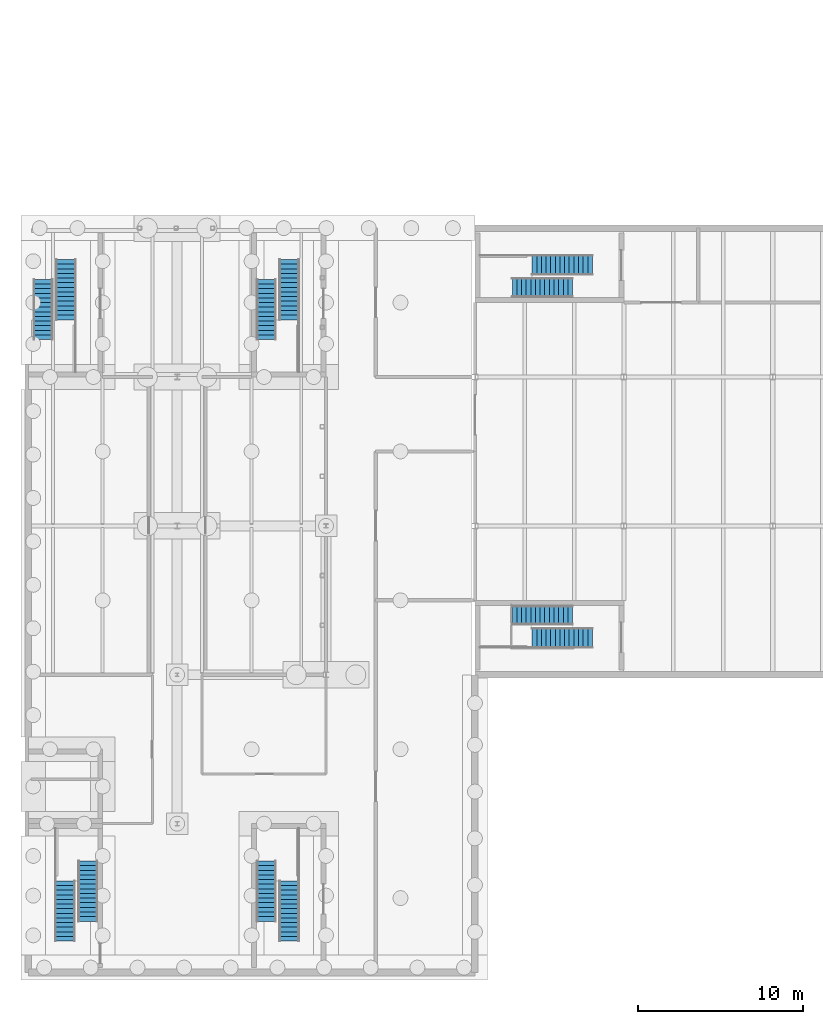
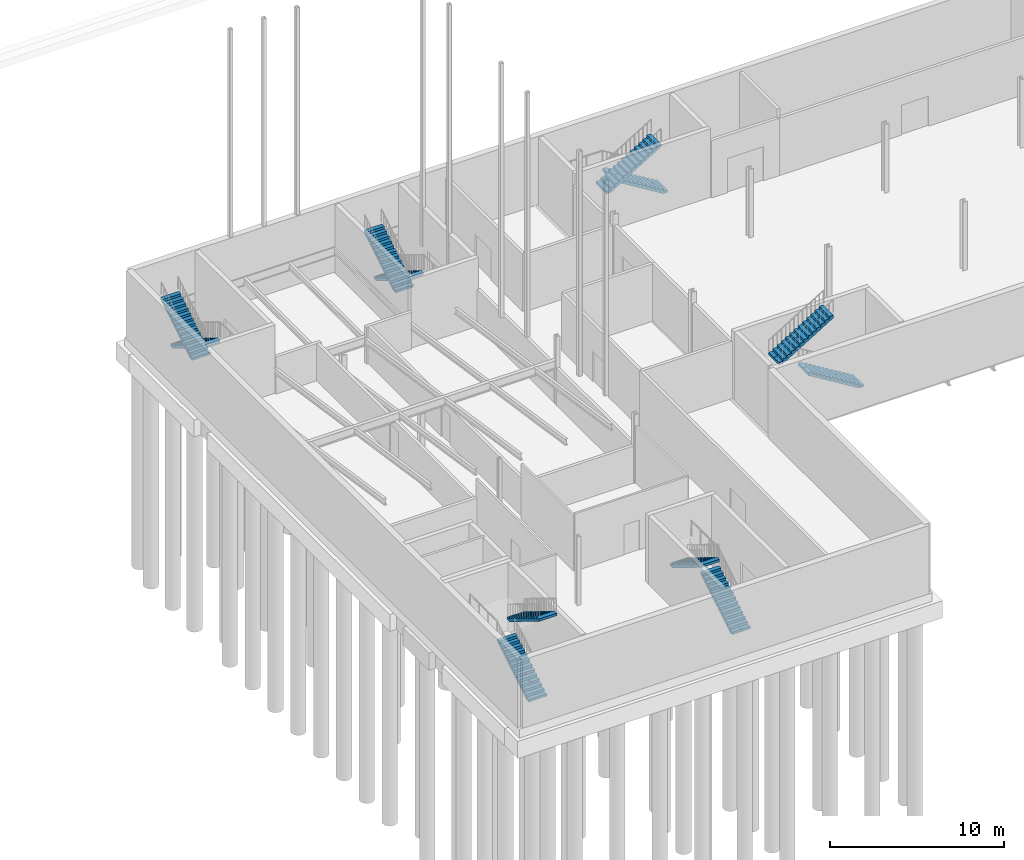
# One storey, part 20 of 31: 12 stair flights, 6 elements without a shape of their own.
"""IFC4 building model written with IfcOpenShell, lengths in metres."""

from ifc_helpers import new_model, si_unit, direction, frame, origin, place, context, subcontext, project, spatial, polyline, outline, extrude, material, type_object, element, aggregate, save


model = new_model("IFC4")

# Units and contexts
model_context = context("Model", 3, precision=1e-05, world=origin(), true_north=direction((0.0, 1.0)))
body_context = subcontext(model_context, "Body", "Model", "MODEL_VIEW")
ifc_project = project(units=[si_unit("LENGTHUNIT", "METRE"), si_unit("AREAUNIT", "SQUARE_METRE"), si_unit("VOLUMEUNIT", "CUBIC_METRE"), si_unit("PLANEANGLEUNIT", "RADIAN"), si_unit("MASSUNIT", "GRAM", prefix="KILO")], contexts=[model_context])

# Site, building, storey
site_placement = place(None, origin())
site = spatial("IfcSite", under=ifc_project, at=site_placement, CompositionType="ELEMENT")
building_placement = place(site_placement, origin())
building = spatial("IfcBuilding", under=site, at=building_placement, Name="Halyard Row Museum", CompositionType="ELEMENT")
storey_placement = place(building_placement, frame((0.0, 0.0, -4.800048828125)))
storey = spatial("IfcBuildingStorey", under=building, at=storey_placement, Name="B1", CompositionType="ELEMENT", Elevation=-4.800048828125)

# Stair, stair flights
ifc_material_1 = material(Name="Concrete 40 MPa", Category="concrete")
stair_type = type_object("IfcStairType", Name="Exit stair two flights 1200", PredefinedType="HALF_TURN_STAIR", material=ifc_material_1)
stair_1_placement = place(storey_placement, origin())
stair_1 = element("IfcStair", 1, at=stair_1_placement, inside=storey, type_object=stair_type, Name="Exit stair K1A B1", PredefinedType="HALF_TURN_STAIR")
ifc_material_2 = material(Name="Concrete 40 MPa", Category="concrete")
stair_flight_type = type_object("IfcStairFlightType", Name="Exit stair flight 1200", PredefinedType="STRAIGHT", material=ifc_material_2)
stair_flight_1_placement = place(storey_placement, frame((34.10009765625, 42.75, 0.0), z_axis=(0.0, 0.0, 1.0), x_axis=(-1.0, 0.0, 0.0)))
stair_flight_1 = element("IfcStairFlight", 2, at=stair_flight_1_placement, type_object=stair_flight_type, Name="STK1A-B1 flight 1", NumberOfRisers=14, NumberOfTreads=13, PredefinedType="STRAIGHT", RiserHeight=0.171428571, TreadLength=0.28, context=body_context, shape_type="SweptSolid", body=[
    extrude(outline(polyline([(0.0, 0.0), (0.0, 0.17138671875), (0.280029296875, 0.17138671875), (0.280029296875, 0.3427734375), (0.56005859375, 0.3427734375), (0.56005859375, 0.514404296875), (0.840087890625, 0.514404296875), (0.840087890625, 0.685791015625), (1.1201171875, 0.685791015625), (1.1201171875, 0.857177734375), (1.39990234375, 0.857177734375), (1.39990234375, 1.028564453125), (1.679931640625, 1.028564453125), (1.679931640625, 1.199951171875), (1.9599609375, 1.199951171875), (1.9599609375, 1.371337890625), (2.239990234375, 1.371337890625), (2.239990234375, 1.54296875), (2.52001953125, 1.54296875), (2.52001953125, 1.71435546875), (2.800048828125, 1.71435546875), (2.800048828125, 1.8857421875), (3.080078125, 1.8857421875), (3.080078125, 2.05712890625), (3.360107421875, 2.05712890625), (3.360107421875, 2.228515625), (3.639892578125, 2.228515625), (3.639892578125, 2.39990234375), (3.639892578125, 2.052734375), (0.287109375, 0.0), (0.0, 0.0)])), frame((0.0, 0.60009765625, 0.0), z_axis=(0.0, -1.0, 0.0), x_axis=(1.0, 0.0, 0.0)), (0.0, 0.0, 1.0), 0.59912109375),
    extrude(outline(polyline([(0.0, 0.0), (0.0, 0.17138671875), (0.280029296875, 0.17138671875), (0.280029296875, 0.3427734375), (0.56005859375, 0.3427734375), (0.56005859375, 0.514404296875), (0.840087890625, 0.514404296875), (0.840087890625, 0.685791015625), (1.1201171875, 0.685791015625), (1.1201171875, 0.857177734375), (1.39990234375, 0.857177734375), (1.39990234375, 1.028564453125), (1.679931640625, 1.028564453125), (1.679931640625, 1.199951171875), (1.9599609375, 1.199951171875), (1.9599609375, 1.371337890625), (2.239990234375, 1.371337890625), (2.239990234375, 1.54296875), (2.52001953125, 1.54296875), (2.52001953125, 1.71435546875), (2.800048828125, 1.71435546875), (2.800048828125, 1.8857421875), (3.080078125, 1.8857421875), (3.080078125, 2.05712890625), (3.360107421875, 2.05712890625), (3.360107421875, 2.228515625), (3.639892578125, 2.228515625), (3.639892578125, 2.39990234375), (3.639892578125, 2.052734375), (0.287109375, 0.0), (0.0, 0.0)])), frame((0.0, -0.0009765625, 0.0), z_axis=(0.0, -1.0, 0.0), x_axis=(1.0, 0.0, 0.0)), (0.0, 0.0, 1.0), 0.59912109375),
])
stair_flight_2_placement = place(storey_placement, frame((29.260009765625, 41.39990234375, 2.400146484375), z_axis=(0.0, 0.0, 1.0), x_axis=(1.0, 0.0, 0.0)))
stair_flight_2 = element("IfcStairFlight", 3, at=stair_flight_2_placement, type_object=stair_flight_type, Name="STK1A-B1 flight 2", NumberOfRisers=14, NumberOfTreads=13, PredefinedType="STRAIGHT", RiserHeight=0.171428571, TreadLength=0.28, context=body_context, shape_type="SweptSolid", body=[
    extrude(outline(polyline([(0.0, 0.0), (0.0, 0.17138671875), (0.280029296875, 0.17138671875), (0.280029296875, 0.3427734375), (0.56005859375, 0.3427734375), (0.56005859375, 0.514404296875), (0.840087890625, 0.514404296875), (0.840087890625, 0.685791015625), (1.1201171875, 0.685791015625), (1.1201171875, 0.857177734375), (1.39990234375, 0.857177734375), (1.39990234375, 1.028564453125), (1.679931640625, 1.028564453125), (1.679931640625, 1.199951171875), (1.9599609375, 1.199951171875), (1.9599609375, 1.371337890625), (2.239990234375, 1.371337890625), (2.239990234375, 1.54296875), (2.52001953125, 1.54296875), (2.52001953125, 1.71435546875), (2.800048828125, 1.71435546875), (2.800048828125, 1.8857421875), (3.080078125, 1.8857421875), (3.080078125, 2.05712890625), (3.360107421875, 2.05712890625), (3.360107421875, 2.228515625), (3.639892578125, 2.228515625), (3.639892578125, 2.39990234375), (3.639892578125, 2.052734375), (0.287109375, 0.0), (0.0, 0.0)])), frame((0.0, 0.60009765625, 0.0), z_axis=(0.0, -1.0, 0.0), x_axis=(1.0, 0.0, 0.0)), (0.0, 0.0, 1.0), 0.59912109375),
    extrude(outline(polyline([(0.0, 0.0), (0.0, 0.17138671875), (0.280029296875, 0.17138671875), (0.280029296875, 0.3427734375), (0.56005859375, 0.3427734375), (0.56005859375, 0.514404296875), (0.840087890625, 0.514404296875), (0.840087890625, 0.685791015625), (1.1201171875, 0.685791015625), (1.1201171875, 0.857177734375), (1.39990234375, 0.857177734375), (1.39990234375, 1.028564453125), (1.679931640625, 1.028564453125), (1.679931640625, 1.199951171875), (1.9599609375, 1.199951171875), (1.9599609375, 1.371337890625), (2.239990234375, 1.371337890625), (2.239990234375, 1.54296875), (2.52001953125, 1.54296875), (2.52001953125, 1.71435546875), (2.800048828125, 1.71435546875), (2.800048828125, 1.8857421875), (3.080078125, 1.8857421875), (3.080078125, 2.05712890625), (3.360107421875, 2.05712890625), (3.360107421875, 2.228515625), (3.639892578125, 2.228515625), (3.639892578125, 2.39990234375), (3.639892578125, 2.052734375), (0.287109375, 0.0), (0.0, 0.0)])), frame((0.0, -0.0009765625, 0.0), z_axis=(0.0, -1.0, 0.0), x_axis=(1.0, 0.0, 0.0)), (0.0, 0.0, 1.0), 0.59912109375),
])
aggregate(stair_1, [stair_flight_1, stair_flight_2])

stair_2_placement = place(storey_placement, origin())
stair_2 = element("IfcStair", 4, at=stair_2_placement, inside=storey, type_object=stair_type, Name="Exit stair K1D B1", PredefinedType="HALF_TURN_STAIR")
stair_flight_3_placement = place(storey_placement, frame((34.10009765625, 20.25, 0.0), z_axis=(0.0, 0.0, 1.0), x_axis=(-1.0, 0.0, 0.0)))
stair_flight_3 = element("IfcStairFlight", 5, at=stair_flight_3_placement, type_object=stair_flight_type, Name="STK1D-B1 flight 1", NumberOfRisers=14, NumberOfTreads=13, PredefinedType="STRAIGHT", RiserHeight=0.171428571, TreadLength=0.28, context=body_context, shape_type="SweptSolid", body=[
    extrude(outline(polyline([(0.0, 0.0), (0.0, 0.17138671875), (0.280029296875, 0.17138671875), (0.280029296875, 0.3427734375), (0.56005859375, 0.3427734375), (0.56005859375, 0.514404296875), (0.840087890625, 0.514404296875), (0.840087890625, 0.685791015625), (1.1201171875, 0.685791015625), (1.1201171875, 0.857177734375), (1.39990234375, 0.857177734375), (1.39990234375, 1.028564453125), (1.679931640625, 1.028564453125), (1.679931640625, 1.199951171875), (1.9599609375, 1.199951171875), (1.9599609375, 1.371337890625), (2.239990234375, 1.371337890625), (2.239990234375, 1.54296875), (2.52001953125, 1.54296875), (2.52001953125, 1.71435546875), (2.800048828125, 1.71435546875), (2.800048828125, 1.8857421875), (3.080078125, 1.8857421875), (3.080078125, 2.05712890625), (3.360107421875, 2.05712890625), (3.360107421875, 2.228515625), (3.639892578125, 2.228515625), (3.639892578125, 2.39990234375), (3.639892578125, 2.052734375), (0.287109375, 0.0), (0.0, 0.0)])), frame((0.0, 0.60009765625, 0.0), z_axis=(0.0, -1.0, 0.0), x_axis=(1.0, 0.0, 0.0)), (0.0, 0.0, 1.0), 0.59912109375),
    extrude(outline(polyline([(0.0, 0.0), (0.0, 0.17138671875), (0.280029296875, 0.17138671875), (0.280029296875, 0.3427734375), (0.56005859375, 0.3427734375), (0.56005859375, 0.514404296875), (0.840087890625, 0.514404296875), (0.840087890625, 0.685791015625), (1.1201171875, 0.685791015625), (1.1201171875, 0.857177734375), (1.39990234375, 0.857177734375), (1.39990234375, 1.028564453125), (1.679931640625, 1.028564453125), (1.679931640625, 1.199951171875), (1.9599609375, 1.199951171875), (1.9599609375, 1.371337890625), (2.239990234375, 1.371337890625), (2.239990234375, 1.54296875), (2.52001953125, 1.54296875), (2.52001953125, 1.71435546875), (2.800048828125, 1.71435546875), (2.800048828125, 1.8857421875), (3.080078125, 1.8857421875), (3.080078125, 2.05712890625), (3.360107421875, 2.05712890625), (3.360107421875, 2.228515625), (3.639892578125, 2.228515625), (3.639892578125, 2.39990234375), (3.639892578125, 2.052734375), (0.287109375, 0.0), (0.0, 0.0)])), frame((0.0, -0.0009765625, 0.0), z_axis=(0.0, -1.0, 0.0), x_axis=(1.0, 0.0, 0.0)), (0.0, 0.0, 1.0), 0.59912109375),
])
stair_flight_4_placement = place(storey_placement, frame((29.260009765625, 21.60009765625, 2.400146484375), z_axis=(0.0, 0.0, 1.0), x_axis=(1.0, 0.0, 0.0)))
stair_flight_4 = element("IfcStairFlight", 6, at=stair_flight_4_placement, type_object=stair_flight_type, Name="STK1D-B1 flight 2", NumberOfRisers=14, NumberOfTreads=13, PredefinedType="STRAIGHT", RiserHeight=0.171428571, TreadLength=0.28, context=body_context, shape_type="SweptSolid", body=[
    extrude(outline(polyline([(0.0, 0.0), (0.0, 0.17138671875), (0.280029296875, 0.17138671875), (0.280029296875, 0.3427734375), (0.56005859375, 0.3427734375), (0.56005859375, 0.514404296875), (0.840087890625, 0.514404296875), (0.840087890625, 0.685791015625), (1.1201171875, 0.685791015625), (1.1201171875, 0.857177734375), (1.39990234375, 0.857177734375), (1.39990234375, 1.028564453125), (1.679931640625, 1.028564453125), (1.679931640625, 1.199951171875), (1.9599609375, 1.199951171875), (1.9599609375, 1.371337890625), (2.239990234375, 1.371337890625), (2.239990234375, 1.54296875), (2.52001953125, 1.54296875), (2.52001953125, 1.71435546875), (2.800048828125, 1.71435546875), (2.800048828125, 1.8857421875), (3.080078125, 1.8857421875), (3.080078125, 2.05712890625), (3.360107421875, 2.05712890625), (3.360107421875, 2.228515625), (3.639892578125, 2.228515625), (3.639892578125, 2.39990234375), (3.639892578125, 2.052734375), (0.287109375, 0.0), (0.0, 0.0)])), frame((0.0, 0.60009765625, 0.0), z_axis=(0.0, -1.0, 0.0), x_axis=(1.0, 0.0, 0.0)), (0.0, 0.0, 1.0), 0.59912109375),
    extrude(outline(polyline([(0.0, 0.0), (0.0, 0.17138671875), (0.280029296875, 0.17138671875), (0.280029296875, 0.3427734375), (0.56005859375, 0.3427734375), (0.56005859375, 0.514404296875), (0.840087890625, 0.514404296875), (0.840087890625, 0.685791015625), (1.1201171875, 0.685791015625), (1.1201171875, 0.857177734375), (1.39990234375, 0.857177734375), (1.39990234375, 1.028564453125), (1.679931640625, 1.028564453125), (1.679931640625, 1.199951171875), (1.9599609375, 1.199951171875), (1.9599609375, 1.371337890625), (2.239990234375, 1.371337890625), (2.239990234375, 1.54296875), (2.52001953125, 1.54296875), (2.52001953125, 1.71435546875), (2.800048828125, 1.71435546875), (2.800048828125, 1.8857421875), (3.080078125, 1.8857421875), (3.080078125, 2.05712890625), (3.360107421875, 2.05712890625), (3.360107421875, 2.228515625), (3.639892578125, 2.228515625), (3.639892578125, 2.39990234375), (3.639892578125, 2.052734375), (0.287109375, 0.0), (0.0, 0.0)])), frame((0.0, -0.0009765625, 0.0), z_axis=(0.0, -1.0, 0.0), x_axis=(1.0, 0.0, 0.0)), (0.0, 0.0, 1.0), 0.59912109375),
])
aggregate(stair_2, [stair_flight_3, stair_flight_4])

stair_3_placement = place(storey_placement, origin())
stair_3 = element("IfcStair", 7, at=stair_3_placement, inside=storey, type_object=stair_type, Name="Exit stair K3E B1", PredefinedType="HALF_TURN_STAIR")
stair_flight_5_placement = place(storey_placement, frame((15.75, 1.89990234375, 0.0), z_axis=(0.0, 0.0, 1.0), x_axis=(0.0, 1.0, 0.0)))
stair_flight_5 = element("IfcStairFlight", 8, at=stair_flight_5_placement, type_object=stair_flight_type, Name="STK3E-B1 flight 1", NumberOfRisers=14, NumberOfTreads=13, PredefinedType="STRAIGHT", RiserHeight=0.171428571, TreadLength=0.28, context=body_context, shape_type="SweptSolid", body=[
    extrude(outline(polyline([(0.0, 0.0), (0.0, 0.17138671875), (0.280029296875, 0.17138671875), (0.280029296875, 0.3427734375), (0.56005859375, 0.3427734375), (0.56005859375, 0.514404296875), (0.840087890625, 0.514404296875), (0.840087890625, 0.685791015625), (1.1201171875, 0.685791015625), (1.1201171875, 0.857177734375), (1.39990234375, 0.857177734375), (1.39990234375, 1.028564453125), (1.679931640625, 1.028564453125), (1.679931640625, 1.199951171875), (1.9599609375, 1.199951171875), (1.9599609375, 1.371337890625), (2.239990234375, 1.371337890625), (2.239990234375, 1.54296875), (2.52001953125, 1.54296875), (2.52001953125, 1.71435546875), (2.800048828125, 1.71435546875), (2.800048828125, 1.8857421875), (3.080078125, 1.8857421875), (3.080078125, 2.05712890625), (3.360107421875, 2.05712890625), (3.360107421875, 2.228515625), (3.639892578125, 2.228515625), (3.639892578125, 2.39990234375), (3.639892578125, 2.052734375), (0.287109375, 0.0), (0.0, 0.0)])), frame((0.0, 0.60009765625, 0.0), z_axis=(0.0, -1.0, 0.0), x_axis=(1.0, 0.0, 0.0)), (0.0, 0.0, 1.0), 0.59912109375),
    extrude(outline(polyline([(0.0, 0.0), (0.0, 0.17138671875), (0.280029296875, 0.17138671875), (0.280029296875, 0.3427734375), (0.56005859375, 0.3427734375), (0.56005859375, 0.514404296875), (0.840087890625, 0.514404296875), (0.840087890625, 0.685791015625), (1.1201171875, 0.685791015625), (1.1201171875, 0.857177734375), (1.39990234375, 0.857177734375), (1.39990234375, 1.028564453125), (1.679931640625, 1.028564453125), (1.679931640625, 1.199951171875), (1.9599609375, 1.199951171875), (1.9599609375, 1.371337890625), (2.239990234375, 1.371337890625), (2.239990234375, 1.54296875), (2.52001953125, 1.54296875), (2.52001953125, 1.71435546875), (2.800048828125, 1.71435546875), (2.800048828125, 1.8857421875), (3.080078125, 1.8857421875), (3.080078125, 2.05712890625), (3.360107421875, 2.05712890625), (3.360107421875, 2.228515625), (3.639892578125, 2.228515625), (3.639892578125, 2.39990234375), (3.639892578125, 2.052734375), (0.287109375, 0.0), (0.0, 0.0)])), frame((0.0, -0.0009765625, 0.0), z_axis=(0.0, -1.0, 0.0), x_axis=(1.0, 0.0, 0.0)), (0.0, 0.0, 1.0), 0.59912109375),
])
stair_flight_6_placement = place(storey_placement, frame((14.39990234375, 6.739990234375, 2.400146484375), z_axis=(0.0, 0.0, 1.0), x_axis=(0.0, -1.0, 0.0)))
stair_flight_6 = element("IfcStairFlight", 9, at=stair_flight_6_placement, type_object=stair_flight_type, Name="STK3E-B1 flight 2", NumberOfRisers=14, NumberOfTreads=13, PredefinedType="STRAIGHT", RiserHeight=0.171428571, TreadLength=0.28, context=body_context, shape_type="SweptSolid", body=[
    extrude(outline(polyline([(0.0, 0.0), (0.0, 0.17138671875), (0.280029296875, 0.17138671875), (0.280029296875, 0.3427734375), (0.56005859375, 0.3427734375), (0.56005859375, 0.514404296875), (0.840087890625, 0.514404296875), (0.840087890625, 0.685791015625), (1.1201171875, 0.685791015625), (1.1201171875, 0.857177734375), (1.39990234375, 0.857177734375), (1.39990234375, 1.028564453125), (1.679931640625, 1.028564453125), (1.679931640625, 1.199951171875), (1.9599609375, 1.199951171875), (1.9599609375, 1.371337890625), (2.239990234375, 1.371337890625), (2.239990234375, 1.54296875), (2.52001953125, 1.54296875), (2.52001953125, 1.71435546875), (2.800048828125, 1.71435546875), (2.800048828125, 1.8857421875), (3.080078125, 1.8857421875), (3.080078125, 2.05712890625), (3.360107421875, 2.05712890625), (3.360107421875, 2.228515625), (3.639892578125, 2.228515625), (3.639892578125, 2.39990234375), (3.639892578125, 2.052734375), (0.287109375, 0.0), (0.0, 0.0)])), frame((0.0, 0.60009765625, 0.0), z_axis=(0.0, -1.0, 0.0), x_axis=(1.0, 0.0, 0.0)), (0.0, 0.0, 1.0), 0.59912109375),
    extrude(outline(polyline([(0.0, 0.0), (0.0, 0.17138671875), (0.280029296875, 0.17138671875), (0.280029296875, 0.3427734375), (0.56005859375, 0.3427734375), (0.56005859375, 0.514404296875), (0.840087890625, 0.514404296875), (0.840087890625, 0.685791015625), (1.1201171875, 0.685791015625), (1.1201171875, 0.857177734375), (1.39990234375, 0.857177734375), (1.39990234375, 1.028564453125), (1.679931640625, 1.028564453125), (1.679931640625, 1.199951171875), (1.9599609375, 1.199951171875), (1.9599609375, 1.371337890625), (2.239990234375, 1.371337890625), (2.239990234375, 1.54296875), (2.52001953125, 1.54296875), (2.52001953125, 1.71435546875), (2.800048828125, 1.71435546875), (2.800048828125, 1.8857421875), (3.080078125, 1.8857421875), (3.080078125, 2.05712890625), (3.360107421875, 2.05712890625), (3.360107421875, 2.228515625), (3.639892578125, 2.228515625), (3.639892578125, 2.39990234375), (3.639892578125, 2.052734375), (0.287109375, 0.0), (0.0, 0.0)])), frame((0.0, -0.0009765625, 0.0), z_axis=(0.0, -1.0, 0.0), x_axis=(1.0, 0.0, 0.0)), (0.0, 0.0, 1.0), 0.59912109375),
])
aggregate(stair_3, [stair_flight_5, stair_flight_6])

stair_4_placement = place(storey_placement, origin())
stair_4 = element("IfcStair", 10, at=stair_4_placement, inside=storey, type_object=stair_type, Name="Exit stair K3N B1", PredefinedType="HALF_TURN_STAIR")
stair_flight_7_placement = place(storey_placement, frame((15.75, 43.10009765625, 0.0), z_axis=(0.0, 0.0, 1.0), x_axis=(0.0, -1.0, 0.0)))
stair_flight_7 = element("IfcStairFlight", 11, at=stair_flight_7_placement, type_object=stair_flight_type, Name="STK3N-B1 flight 1", NumberOfRisers=14, NumberOfTreads=13, PredefinedType="STRAIGHT", RiserHeight=0.171428571, TreadLength=0.28, context=body_context, shape_type="SweptSolid", body=[
    extrude(outline(polyline([(0.0, 0.0), (0.0, 0.17138671875), (0.280029296875, 0.17138671875), (0.280029296875, 0.3427734375), (0.56005859375, 0.3427734375), (0.56005859375, 0.514404296875), (0.840087890625, 0.514404296875), (0.840087890625, 0.685791015625), (1.1201171875, 0.685791015625), (1.1201171875, 0.857177734375), (1.39990234375, 0.857177734375), (1.39990234375, 1.028564453125), (1.679931640625, 1.028564453125), (1.679931640625, 1.199951171875), (1.9599609375, 1.199951171875), (1.9599609375, 1.371337890625), (2.239990234375, 1.371337890625), (2.239990234375, 1.54296875), (2.52001953125, 1.54296875), (2.52001953125, 1.71435546875), (2.800048828125, 1.71435546875), (2.800048828125, 1.8857421875), (3.080078125, 1.8857421875), (3.080078125, 2.05712890625), (3.360107421875, 2.05712890625), (3.360107421875, 2.228515625), (3.639892578125, 2.228515625), (3.639892578125, 2.39990234375), (3.639892578125, 2.052734375), (0.287109375, 0.0), (0.0, 0.0)])), frame((0.0, 0.60009765625, 0.0), z_axis=(0.0, -1.0, 0.0), x_axis=(1.0, 0.0, 0.0)), (0.0, 0.0, 1.0), 0.59912109375),
    extrude(outline(polyline([(0.0, 0.0), (0.0, 0.17138671875), (0.280029296875, 0.17138671875), (0.280029296875, 0.3427734375), (0.56005859375, 0.3427734375), (0.56005859375, 0.514404296875), (0.840087890625, 0.514404296875), (0.840087890625, 0.685791015625), (1.1201171875, 0.685791015625), (1.1201171875, 0.857177734375), (1.39990234375, 0.857177734375), (1.39990234375, 1.028564453125), (1.679931640625, 1.028564453125), (1.679931640625, 1.199951171875), (1.9599609375, 1.199951171875), (1.9599609375, 1.371337890625), (2.239990234375, 1.371337890625), (2.239990234375, 1.54296875), (2.52001953125, 1.54296875), (2.52001953125, 1.71435546875), (2.800048828125, 1.71435546875), (2.800048828125, 1.8857421875), (3.080078125, 1.8857421875), (3.080078125, 2.05712890625), (3.360107421875, 2.05712890625), (3.360107421875, 2.228515625), (3.639892578125, 2.228515625), (3.639892578125, 2.39990234375), (3.639892578125, 2.052734375), (0.287109375, 0.0), (0.0, 0.0)])), frame((0.0, -0.0009765625, 0.0), z_axis=(0.0, -1.0, 0.0), x_axis=(1.0, 0.0, 0.0)), (0.0, 0.0, 1.0), 0.59912109375),
])
stair_flight_8_placement = place(storey_placement, frame((14.39990234375, 38.260009765625, 2.400146484375), z_axis=(0.0, 0.0, 1.0), x_axis=(0.0, 1.0, 0.0)))
stair_flight_8 = element("IfcStairFlight", 12, at=stair_flight_8_placement, type_object=stair_flight_type, Name="STK3N-B1 flight 2", NumberOfRisers=14, NumberOfTreads=13, PredefinedType="STRAIGHT", RiserHeight=0.171428571, TreadLength=0.28, context=body_context, shape_type="SweptSolid", body=[
    extrude(outline(polyline([(0.0, 0.0), (0.0, 0.17138671875), (0.280029296875, 0.17138671875), (0.280029296875, 0.3427734375), (0.56005859375, 0.3427734375), (0.56005859375, 0.514404296875), (0.840087890625, 0.514404296875), (0.840087890625, 0.685791015625), (1.1201171875, 0.685791015625), (1.1201171875, 0.857177734375), (1.39990234375, 0.857177734375), (1.39990234375, 1.028564453125), (1.679931640625, 1.028564453125), (1.679931640625, 1.199951171875), (1.9599609375, 1.199951171875), (1.9599609375, 1.371337890625), (2.239990234375, 1.371337890625), (2.239990234375, 1.54296875), (2.52001953125, 1.54296875), (2.52001953125, 1.71435546875), (2.800048828125, 1.71435546875), (2.800048828125, 1.8857421875), (3.080078125, 1.8857421875), (3.080078125, 2.05712890625), (3.360107421875, 2.05712890625), (3.360107421875, 2.228515625), (3.639892578125, 2.228515625), (3.639892578125, 2.39990234375), (3.639892578125, 2.052734375), (0.287109375, 0.0), (0.0, 0.0)])), frame((0.0, 0.60009765625, 0.0), z_axis=(0.0, -1.0, 0.0), x_axis=(1.0, 0.0, 0.0)), (0.0, 0.0, 1.0), 0.59912109375),
    extrude(outline(polyline([(0.0, 0.0), (0.0, 0.17138671875), (0.280029296875, 0.17138671875), (0.280029296875, 0.3427734375), (0.56005859375, 0.3427734375), (0.56005859375, 0.514404296875), (0.840087890625, 0.514404296875), (0.840087890625, 0.685791015625), (1.1201171875, 0.685791015625), (1.1201171875, 0.857177734375), (1.39990234375, 0.857177734375), (1.39990234375, 1.028564453125), (1.679931640625, 1.028564453125), (1.679931640625, 1.199951171875), (1.9599609375, 1.199951171875), (1.9599609375, 1.371337890625), (2.239990234375, 1.371337890625), (2.239990234375, 1.54296875), (2.52001953125, 1.54296875), (2.52001953125, 1.71435546875), (2.800048828125, 1.71435546875), (2.800048828125, 1.8857421875), (3.080078125, 1.8857421875), (3.080078125, 2.05712890625), (3.360107421875, 2.05712890625), (3.360107421875, 2.228515625), (3.639892578125, 2.228515625), (3.639892578125, 2.39990234375), (3.639892578125, 2.052734375), (0.287109375, 0.0), (0.0, 0.0)])), frame((0.0, -0.0009765625, 0.0), z_axis=(0.0, -1.0, 0.0), x_axis=(1.0, 0.0, 0.0)), (0.0, 0.0, 1.0), 0.59912109375),
])
aggregate(stair_4, [stair_flight_7, stair_flight_8])

stair_5_placement = place(storey_placement, origin())
stair_5 = element("IfcStair", 13, at=stair_5_placement, inside=storey, type_object=stair_type, Name="Exit stair K3S B1", PredefinedType="HALF_TURN_STAIR")
stair_flight_9_placement = place(storey_placement, frame((2.25, 1.89990234375, 0.0), z_axis=(0.0, 0.0, 1.0), x_axis=(0.0, 1.0, 0.0)))
stair_flight_9 = element("IfcStairFlight", 14, at=stair_flight_9_placement, type_object=stair_flight_type, Name="STK3S-B1 flight 1", NumberOfRisers=14, NumberOfTreads=13, PredefinedType="STRAIGHT", RiserHeight=0.171428571, TreadLength=0.28, context=body_context, shape_type="SweptSolid", body=[
    extrude(outline(polyline([(0.0, 0.0), (0.0, 0.17138671875), (0.280029296875, 0.17138671875), (0.280029296875, 0.3427734375), (0.56005859375, 0.3427734375), (0.56005859375, 0.514404296875), (0.840087890625, 0.514404296875), (0.840087890625, 0.685791015625), (1.1201171875, 0.685791015625), (1.1201171875, 0.857177734375), (1.39990234375, 0.857177734375), (1.39990234375, 1.028564453125), (1.679931640625, 1.028564453125), (1.679931640625, 1.199951171875), (1.9599609375, 1.199951171875), (1.9599609375, 1.371337890625), (2.239990234375, 1.371337890625), (2.239990234375, 1.54296875), (2.52001953125, 1.54296875), (2.52001953125, 1.71435546875), (2.800048828125, 1.71435546875), (2.800048828125, 1.8857421875), (3.080078125, 1.8857421875), (3.080078125, 2.05712890625), (3.360107421875, 2.05712890625), (3.360107421875, 2.228515625), (3.639892578125, 2.228515625), (3.639892578125, 2.39990234375), (3.639892578125, 2.052734375), (0.287109375, 0.0), (0.0, 0.0)])), frame((0.0, 0.60009765625, 0.0), z_axis=(0.0, -1.0, 0.0), x_axis=(1.0, 0.0, 0.0)), (0.0, 0.0, 1.0), 0.59912109375),
    extrude(outline(polyline([(0.0, 0.0), (0.0, 0.17138671875), (0.280029296875, 0.17138671875), (0.280029296875, 0.3427734375), (0.56005859375, 0.3427734375), (0.56005859375, 0.514404296875), (0.840087890625, 0.514404296875), (0.840087890625, 0.685791015625), (1.1201171875, 0.685791015625), (1.1201171875, 0.857177734375), (1.39990234375, 0.857177734375), (1.39990234375, 1.028564453125), (1.679931640625, 1.028564453125), (1.679931640625, 1.199951171875), (1.9599609375, 1.199951171875), (1.9599609375, 1.371337890625), (2.239990234375, 1.371337890625), (2.239990234375, 1.54296875), (2.52001953125, 1.54296875), (2.52001953125, 1.71435546875), (2.800048828125, 1.71435546875), (2.800048828125, 1.8857421875), (3.080078125, 1.8857421875), (3.080078125, 2.05712890625), (3.360107421875, 2.05712890625), (3.360107421875, 2.228515625), (3.639892578125, 2.228515625), (3.639892578125, 2.39990234375), (3.639892578125, 2.052734375), (0.287109375, 0.0), (0.0, 0.0)])), frame((0.0, -0.0009765625, 0.0), z_axis=(0.0, -1.0, 0.0), x_axis=(1.0, 0.0, 0.0)), (0.0, 0.0, 1.0), 0.59912109375),
])
stair_flight_10_placement = place(storey_placement, frame((3.60009765625, 6.739990234375, 2.400146484375), z_axis=(0.0, 0.0, 1.0), x_axis=(0.0, -1.0, 0.0)))
stair_flight_10 = element("IfcStairFlight", 15, at=stair_flight_10_placement, type_object=stair_flight_type, Name="STK3S-B1 flight 2", NumberOfRisers=14, NumberOfTreads=13, PredefinedType="STRAIGHT", RiserHeight=0.171428571, TreadLength=0.28, context=body_context, shape_type="SweptSolid", body=[
    extrude(outline(polyline([(0.0, 0.0), (0.0, 0.17138671875), (0.280029296875, 0.17138671875), (0.280029296875, 0.3427734375), (0.56005859375, 0.3427734375), (0.56005859375, 0.514404296875), (0.840087890625, 0.514404296875), (0.840087890625, 0.685791015625), (1.1201171875, 0.685791015625), (1.1201171875, 0.857177734375), (1.39990234375, 0.857177734375), (1.39990234375, 1.028564453125), (1.679931640625, 1.028564453125), (1.679931640625, 1.199951171875), (1.9599609375, 1.199951171875), (1.9599609375, 1.371337890625), (2.239990234375, 1.371337890625), (2.239990234375, 1.54296875), (2.52001953125, 1.54296875), (2.52001953125, 1.71435546875), (2.800048828125, 1.71435546875), (2.800048828125, 1.8857421875), (3.080078125, 1.8857421875), (3.080078125, 2.05712890625), (3.360107421875, 2.05712890625), (3.360107421875, 2.228515625), (3.639892578125, 2.228515625), (3.639892578125, 2.39990234375), (3.639892578125, 2.052734375), (0.287109375, 0.0), (0.0, 0.0)])), frame((0.0, 0.60009765625, 0.0), z_axis=(0.0, -1.0, 0.0), x_axis=(1.0, 0.0, 0.0)), (0.0, 0.0, 1.0), 0.59912109375),
    extrude(outline(polyline([(0.0, 0.0), (0.0, 0.17138671875), (0.280029296875, 0.17138671875), (0.280029296875, 0.3427734375), (0.56005859375, 0.3427734375), (0.56005859375, 0.514404296875), (0.840087890625, 0.514404296875), (0.840087890625, 0.685791015625), (1.1201171875, 0.685791015625), (1.1201171875, 0.857177734375), (1.39990234375, 0.857177734375), (1.39990234375, 1.028564453125), (1.679931640625, 1.028564453125), (1.679931640625, 1.199951171875), (1.9599609375, 1.199951171875), (1.9599609375, 1.371337890625), (2.239990234375, 1.371337890625), (2.239990234375, 1.54296875), (2.52001953125, 1.54296875), (2.52001953125, 1.71435546875), (2.800048828125, 1.71435546875), (2.800048828125, 1.8857421875), (3.080078125, 1.8857421875), (3.080078125, 2.05712890625), (3.360107421875, 2.05712890625), (3.360107421875, 2.228515625), (3.639892578125, 2.228515625), (3.639892578125, 2.39990234375), (3.639892578125, 2.052734375), (0.287109375, 0.0), (0.0, 0.0)])), frame((0.0, -0.0009765625, 0.0), z_axis=(0.0, -1.0, 0.0), x_axis=(1.0, 0.0, 0.0)), (0.0, 0.0, 1.0), 0.59912109375),
])
aggregate(stair_5, [stair_flight_9, stair_flight_10])

stair_6_placement = place(storey_placement, origin())
stair_6 = element("IfcStair", 16, at=stair_6_placement, inside=storey, type_object=stair_type, Name="Exit stair K3W B1", PredefinedType="HALF_TURN_STAIR")
stair_flight_11_placement = place(storey_placement, frame((2.25, 43.10009765625, 0.0), z_axis=(0.0, 0.0, 1.0), x_axis=(0.0, -1.0, 0.0)))
stair_flight_11 = element("IfcStairFlight", 17, at=stair_flight_11_placement, type_object=stair_flight_type, Name="STK3W-B1 flight 1", NumberOfRisers=14, NumberOfTreads=13, PredefinedType="STRAIGHT", RiserHeight=0.171428571, TreadLength=0.28, context=body_context, shape_type="SweptSolid", body=[
    extrude(outline(polyline([(0.0, 0.0), (0.0, 0.17138671875), (0.280029296875, 0.17138671875), (0.280029296875, 0.3427734375), (0.56005859375, 0.3427734375), (0.56005859375, 0.514404296875), (0.840087890625, 0.514404296875), (0.840087890625, 0.685791015625), (1.1201171875, 0.685791015625), (1.1201171875, 0.857177734375), (1.39990234375, 0.857177734375), (1.39990234375, 1.028564453125), (1.679931640625, 1.028564453125), (1.679931640625, 1.199951171875), (1.9599609375, 1.199951171875), (1.9599609375, 1.371337890625), (2.239990234375, 1.371337890625), (2.239990234375, 1.54296875), (2.52001953125, 1.54296875), (2.52001953125, 1.71435546875), (2.800048828125, 1.71435546875), (2.800048828125, 1.8857421875), (3.080078125, 1.8857421875), (3.080078125, 2.05712890625), (3.360107421875, 2.05712890625), (3.360107421875, 2.228515625), (3.639892578125, 2.228515625), (3.639892578125, 2.39990234375), (3.639892578125, 2.052734375), (0.287109375, 0.0), (0.0, 0.0)])), frame((0.0, 0.60009765625, 0.0), z_axis=(0.0, -1.0, 0.0), x_axis=(1.0, 0.0, 0.0)), (0.0, 0.0, 1.0), 0.59912109375),
    extrude(outline(polyline([(0.0, 0.0), (0.0, 0.17138671875), (0.280029296875, 0.17138671875), (0.280029296875, 0.3427734375), (0.56005859375, 0.3427734375), (0.56005859375, 0.514404296875), (0.840087890625, 0.514404296875), (0.840087890625, 0.685791015625), (1.1201171875, 0.685791015625), (1.1201171875, 0.857177734375), (1.39990234375, 0.857177734375), (1.39990234375, 1.028564453125), (1.679931640625, 1.028564453125), (1.679931640625, 1.199951171875), (1.9599609375, 1.199951171875), (1.9599609375, 1.371337890625), (2.239990234375, 1.371337890625), (2.239990234375, 1.54296875), (2.52001953125, 1.54296875), (2.52001953125, 1.71435546875), (2.800048828125, 1.71435546875), (2.800048828125, 1.8857421875), (3.080078125, 1.8857421875), (3.080078125, 2.05712890625), (3.360107421875, 2.05712890625), (3.360107421875, 2.228515625), (3.639892578125, 2.228515625), (3.639892578125, 2.39990234375), (3.639892578125, 2.052734375), (0.287109375, 0.0), (0.0, 0.0)])), frame((0.0, -0.0009765625, 0.0), z_axis=(0.0, -1.0, 0.0), x_axis=(1.0, 0.0, 0.0)), (0.0, 0.0, 1.0), 0.59912109375),
])
stair_flight_12_placement = place(storey_placement, frame((0.89990234375, 38.260009765625, 2.400146484375), z_axis=(0.0, 0.0, 1.0), x_axis=(0.0, 1.0, 0.0)))
stair_flight_12 = element("IfcStairFlight", 18, at=stair_flight_12_placement, type_object=stair_flight_type, Name="STK3W-B1 flight 2", NumberOfRisers=14, NumberOfTreads=13, PredefinedType="STRAIGHT", RiserHeight=0.171428571, TreadLength=0.28, context=body_context, shape_type="SweptSolid", body=[
    extrude(outline(polyline([(0.0, 0.0), (0.0, 0.17138671875), (0.280029296875, 0.17138671875), (0.280029296875, 0.3427734375), (0.56005859375, 0.3427734375), (0.56005859375, 0.514404296875), (0.840087890625, 0.514404296875), (0.840087890625, 0.685791015625), (1.1201171875, 0.685791015625), (1.1201171875, 0.857177734375), (1.39990234375, 0.857177734375), (1.39990234375, 1.028564453125), (1.679931640625, 1.028564453125), (1.679931640625, 1.199951171875), (1.9599609375, 1.199951171875), (1.9599609375, 1.371337890625), (2.239990234375, 1.371337890625), (2.239990234375, 1.54296875), (2.52001953125, 1.54296875), (2.52001953125, 1.71435546875), (2.800048828125, 1.71435546875), (2.800048828125, 1.8857421875), (3.080078125, 1.8857421875), (3.080078125, 2.05712890625), (3.360107421875, 2.05712890625), (3.360107421875, 2.228515625), (3.639892578125, 2.228515625), (3.639892578125, 2.39990234375), (3.639892578125, 2.052734375), (0.287109375, 0.0), (0.0, 0.0)])), frame((0.0, 0.60009765625, 0.0), z_axis=(0.0, -1.0, 0.0), x_axis=(1.0, 0.0, 0.0)), (0.0, 0.0, 1.0), 0.59912109375),
    extrude(outline(polyline([(0.0, 0.0), (0.0, 0.17138671875), (0.280029296875, 0.17138671875), (0.280029296875, 0.3427734375), (0.56005859375, 0.3427734375), (0.56005859375, 0.514404296875), (0.840087890625, 0.514404296875), (0.840087890625, 0.685791015625), (1.1201171875, 0.685791015625), (1.1201171875, 0.857177734375), (1.39990234375, 0.857177734375), (1.39990234375, 1.028564453125), (1.679931640625, 1.028564453125), (1.679931640625, 1.199951171875), (1.9599609375, 1.199951171875), (1.9599609375, 1.371337890625), (2.239990234375, 1.371337890625), (2.239990234375, 1.54296875), (2.52001953125, 1.54296875), (2.52001953125, 1.71435546875), (2.800048828125, 1.71435546875), (2.800048828125, 1.8857421875), (3.080078125, 1.8857421875), (3.080078125, 2.05712890625), (3.360107421875, 2.05712890625), (3.360107421875, 2.228515625), (3.639892578125, 2.228515625), (3.639892578125, 2.39990234375), (3.639892578125, 2.052734375), (0.287109375, 0.0), (0.0, 0.0)])), frame((0.0, -0.0009765625, 0.0), z_axis=(0.0, -1.0, 0.0), x_axis=(1.0, 0.0, 0.0)), (0.0, 0.0, 1.0), 0.59912109375),
])
aggregate(stair_6, [stair_flight_11, stair_flight_12])

save(model, "model.ifc")
